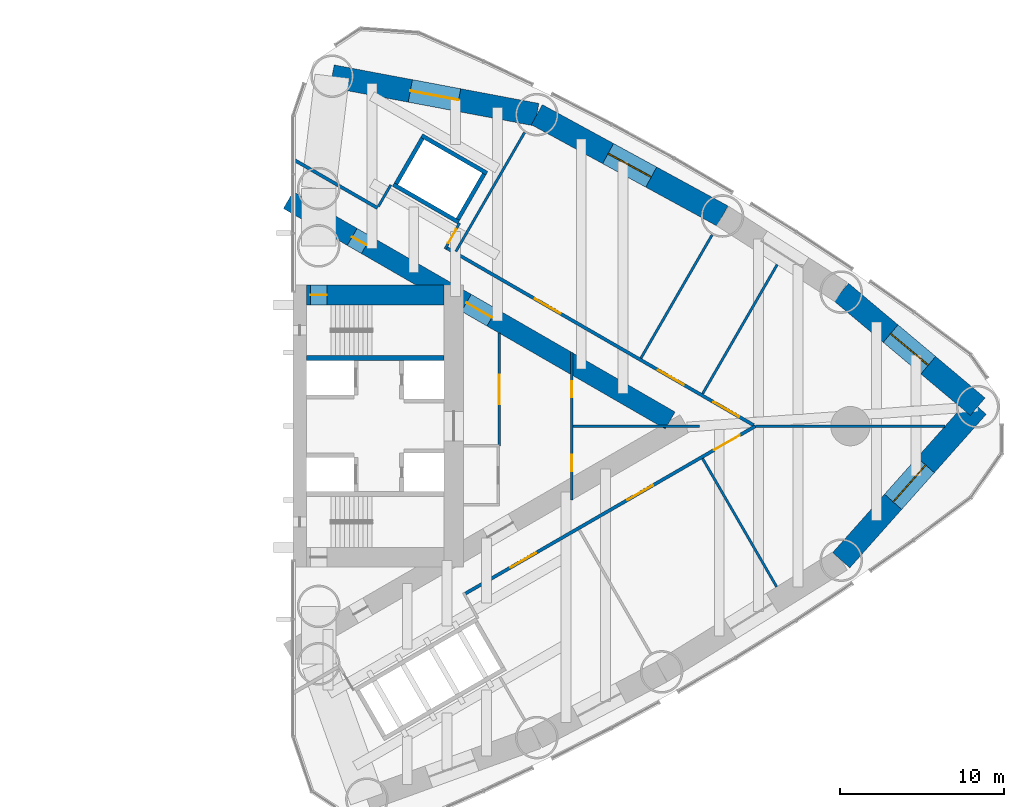
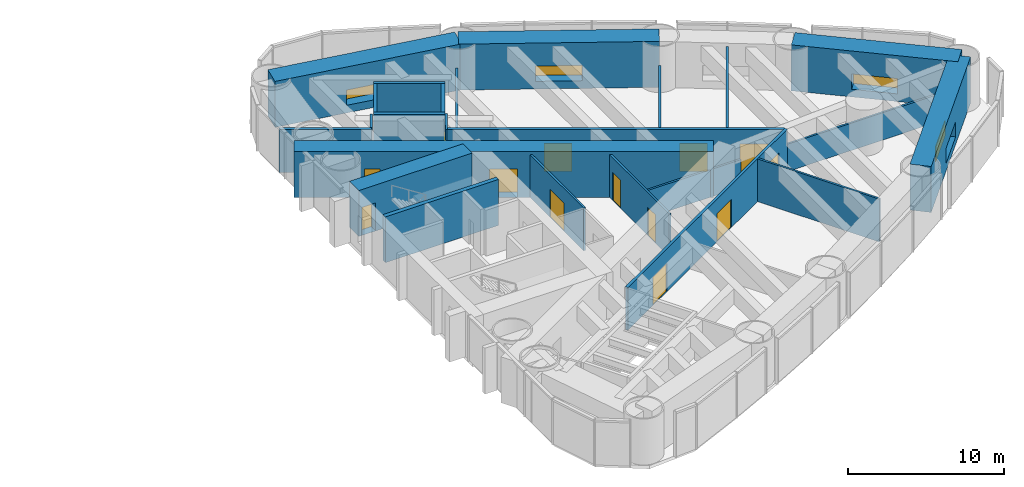
# One storey, part 14 of 16: 24 walls, 13 doors, 4 windows, 17 openings.
"""IFC4 building model written with IfcOpenShell, lengths in metres."""

from ifc_helpers import new_model, si_unit, direction, frame, frame_2d, origin, place, context, subcontext, project, spatial, rectangle, extrude, material, layer, layer_set, type_object, element, fill, save


model = new_model("IFC4")

# Units and contexts
model_context = context("Model", 3, precision=1e-05, world=origin(), true_north=direction((0.0, 1.0)))
body_context = subcontext(model_context, "Body", "Model", "MODEL_VIEW")
ifc_project = project(units=[si_unit("LENGTHUNIT", "METRE"), si_unit("AREAUNIT", "SQUARE_METRE"), si_unit("VOLUMEUNIT", "CUBIC_METRE"), si_unit("PLANEANGLEUNIT", "RADIAN"), si_unit("MASSUNIT", "GRAM", prefix="KILO")], contexts=[model_context])

# Site, building, storey
site_placement = place(None, origin())
site = spatial("IfcSite", under=ifc_project, at=site_placement, CompositionType="ELEMENT")
building_placement = place(site_placement, origin())
building = spatial("IfcBuilding", under=site, at=building_placement, Name="Lancet Gate Hotel", CompositionType="ELEMENT")
storey_placement = place(building_placement, frame((0.0, 0.0, 143.10009765625)))
storey = spatial("IfcBuildingStorey", under=building, at=storey_placement, Name="L38", CompositionType="ELEMENT", Elevation=143.10009765625)

# Wall, opening, window
ifc_material_1 = material(Name="Concrete C80/95", Category="concrete")
ifc_layer_1 = layer(ifc_material_1, 1.39990234375)
ifc_layer_set_1 = layer_set([ifc_layer_1], Name="Belt wall 1400")
wall_type_1 = type_object("IfcWallType", Name="Belt wall 1400", PredefinedType="SHEAR", material=ifc_layer_set_1)
wall_1_placement = place(storey_placement, frame((60.940673828125, -8.18115234375, 0.0), z_axis=(0.0, 0.0, 1.0), x_axis=(0.664421866815, 0.74735773422, 0.0)))
wall_1 = element("IfcWall", 1, at=wall_1_placement, inside=storey, type_object=wall_type_1, Name="T2 belt wall OS3-CA L38", PredefinedType="SHEAR", context=body_context, shape_type="SweptSolid", body=[
    extrude(rectangle(XDim=12.534423828125, YDim=1.39990234375, at=frame_2d((6.26708984375, 0.0))), origin(), (0.0, 0.0, 1.0), 3.599853515625),
])
opening_1_placement = place(wall_1_placement, frame((4.76708984375, 0.0, 0.60009765625)))
opening_1 = element("IfcOpeningElement", 2, at=opening_1_placement, cuts=wall_1, Name="Opening LV1", PredefinedType="OPENING", context=body_context, shape_type="SweptSolid", body=[
    extrude(rectangle(XDim=3.0, YDim=1.199951171875, at=frame_2d((1.5, 0.60009765625))), frame((0.0, 0.7099609375, 0.0), z_axis=(0.0, -1.0, 0.0), x_axis=(1.0, 0.0, 0.0)), (0.0, 0.0, 1.0), 1.419921875),
])
ifc_material_2 = material(Name="Aluminium weather louvre", Category="aluminium")
window_type = type_object("IfcWindowType", Name="Refuge louvre 3000x1200", PartitioningType="SINGLE_PANEL", PredefinedType="WINDOW", material=ifc_material_2)
window_1_placement = place(opening_1_placement, origin())
window_1 = element("IfcWindow", 3, at=window_1_placement, inside=storey, type_object=window_type, Name="T2 belt louvre OS3-CA L38", OverallHeight=1.199951171875, OverallWidth=3.0, PartitioningType="SINGLE_PANEL", PredefinedType="WINDOW", context=body_context, shape_type="SweptSolid", body=[
    extrude(rectangle(XDim=3.0, YDim=1.199951171875, at=frame_2d((1.5, 0.60009765625))), frame((0.0, 0.030029296875, 0.0), z_axis=(0.0, -1.0, 0.0), x_axis=(1.0, 0.0, 0.0)), (0.0, 0.0, 1.0), 0.06005859375),
])
fill(opening_1, window_1)

wall_2_placement = place(storey_placement, frame((69.268798828125, 1.1865234375, 0.0), z_axis=(0.0, 0.0, 1.0), x_axis=(-0.765749969712, 0.643138386264, 0.0)))
wall_2 = element("IfcWall", 4, at=wall_2_placement, inside=storey, type_object=wall_type_1, Name="T2 belt wall CA-ON1 L38", PredefinedType="SHEAR", context=body_context, shape_type="SweptSolid", body=[
    extrude(rectangle(XDim=10.875732421875, YDim=1.39990234375, at=frame_2d((5.43798828125, 0.0))), origin(), (0.0, 0.0, 1.0), 3.599853515625),
])
opening_2_placement = place(wall_2_placement, frame((3.93798828125, 0.0, 0.60009765625)))
opening_2 = element("IfcOpeningElement", 5, at=opening_2_placement, cuts=wall_2, Name="Opening LV1", PredefinedType="OPENING", context=body_context, shape_type="SweptSolid", body=[
    extrude(rectangle(XDim=3.0, YDim=1.199951171875, at=frame_2d((1.5, 0.60009765625))), frame((0.0, 0.7099609375, 0.0), z_axis=(0.0, -1.0, 0.0), x_axis=(1.0, 0.0, 0.0)), (0.0, 0.0, 1.0), 1.419921875),
])
window_2_placement = place(opening_2_placement, origin())
window_2 = element("IfcWindow", 6, at=window_2_placement, inside=storey, type_object=window_type, Name="T2 belt louvre CA-ON1 L38", OverallHeight=1.199951171875, OverallWidth=3.0, PartitioningType="SINGLE_PANEL", PredefinedType="WINDOW", context=body_context, shape_type="SweptSolid", body=[
    extrude(rectangle(XDim=3.0, YDim=1.199951171875, at=frame_2d((1.5, 0.60009765625))), frame((0.0, 0.030029296875, 0.0), z_axis=(0.0, -1.0, 0.0), x_axis=(1.0, 0.0, 0.0)), (0.0, 0.0, 1.0), 0.06005859375),
])
fill(opening_2, window_2)

wall_3_placement = place(storey_placement, frame((53.697021484375, 12.827392578125, 0.0), z_axis=(0.0, 0.0, 1.0), x_axis=(-0.87792015078, 0.478807068509, 0.0)))
wall_3 = element("IfcWall", 7, at=wall_3_placement, inside=storey, type_object=wall_type_1, Name="T2 belt wall ON2-ON3 L38", PredefinedType="SHEAR", context=body_context, shape_type="SweptSolid", body=[
    extrude(rectangle(XDim=12.906494140625, YDim=1.39990234375, at=frame_2d((6.453125, 0.0))), origin(), (0.0, 0.0, 1.0), 3.599853515625),
])
opening_3_placement = place(wall_3_placement, frame((4.953125, 0.0, 0.60009765625)))
opening_3 = element("IfcOpeningElement", 8, at=opening_3_placement, cuts=wall_3, Name="Opening LV1", PredefinedType="OPENING", context=body_context, shape_type="SweptSolid", body=[
    extrude(rectangle(XDim=3.0, YDim=1.199951171875, at=frame_2d((1.5, 0.60009765625))), frame((0.0, 0.7099609375, 0.0), z_axis=(0.0, -1.0, 0.0), x_axis=(1.0, 0.0, 0.0)), (0.0, 0.0, 1.0), 1.419921875),
])
window_3_placement = place(opening_3_placement, origin())
window_3 = element("IfcWindow", 9, at=window_3_placement, inside=storey, type_object=window_type, Name="T2 belt louvre ON2-ON3 L38", OverallHeight=1.199951171875, OverallWidth=3.0, PartitioningType="SINGLE_PANEL", PredefinedType="WINDOW", context=body_context, shape_type="SweptSolid", body=[
    extrude(rectangle(XDim=3.0, YDim=1.199951171875, at=frame_2d((1.5, 0.60009765625))), frame((0.0, 0.030029296875, 0.0), z_axis=(0.0, -1.0, 0.0), x_axis=(1.0, 0.0, 0.0)), (0.0, 0.0, 1.0), 0.06005859375),
])
fill(opening_3, window_3)

wall_4_placement = place(storey_placement, frame((42.3662109375, 19.007080078125, 0.0), z_axis=(0.0, 0.0, 1.0), x_axis=(-0.982797318081, 0.184687388776, 0.0)))
wall_4 = element("IfcWall", 10, at=wall_4_placement, inside=storey, type_object=wall_type_1, Name="T2 belt wall ON3-CN L38", PredefinedType="SHEAR", context=body_context, shape_type="SweptSolid", body=[
    extrude(rectangle(XDim=12.712890625, YDim=1.39990234375, at=frame_2d((6.3564453125, 0.0))), origin(), (0.0, 0.0, 1.0), 3.599853515625),
])
opening_4_placement = place(wall_4_placement, frame((4.8564453125, 0.0, 0.60009765625)))
opening_4 = element("IfcOpeningElement", 11, at=opening_4_placement, cuts=wall_4, Name="Opening LV1", PredefinedType="OPENING", context=body_context, shape_type="SweptSolid", body=[
    extrude(rectangle(XDim=3.0, YDim=1.199951171875, at=frame_2d((1.5, 0.60009765625))), frame((0.0, 0.7099609375, 0.0), z_axis=(0.0, -1.0, 0.0), x_axis=(1.0, 0.0, 0.0)), (0.0, 0.0, 1.0), 1.419921875),
])
window_4_placement = place(opening_4_placement, origin())
window_4 = element("IfcWindow", 12, at=window_4_placement, inside=storey, type_object=window_type, Name="T2 belt louvre ON3-CN L38", OverallHeight=1.199951171875, OverallWidth=3.0, PartitioningType="SINGLE_PANEL", PredefinedType="WINDOW", context=body_context, shape_type="SweptSolid", body=[
    extrude(rectangle(XDim=3.0, YDim=1.199951171875, at=frame_2d((1.5, 0.60009765625))), frame((0.0, 0.030029296875, 0.0), z_axis=(0.0, -1.0, 0.0), x_axis=(1.0, 0.0, 0.0)), (0.0, 0.0, 1.0), 0.06005859375),
])
fill(opening_4, window_4)

# Wall, openings, doors
ifc_material_3 = material(Name="Concrete C70/85", Category="concrete")
ifc_layer_2 = layer(ifc_material_3, 1.199951171875)
ifc_layer_set_2 = layer_set([ifc_layer_2], Name="Buttress wall 1200")
wall_type_2 = type_object("IfcWallType", Name="Buttress wall 1200", PredefinedType="SHEAR", material=ifc_layer_set_2)
wall_5_placement = place(storey_placement, frame((27.199951171875, 13.800048828125, 0.0), z_axis=(0.0, 0.0, 1.0), x_axis=(0.866024515034, -0.500001539357, 0.0)))
wall_5 = element("IfcWall", 13, at=wall_5_placement, inside=storey, type_object=wall_type_2, Name="T2 buttress wall N L38", PredefinedType="SHEAR", context=body_context, shape_type="SweptSolid", body=[
    extrude(rectangle(XDim=26.9072265625, YDim=1.199951171875, at=frame_2d((13.45361328125, 0.0))), origin(), (0.0, 0.0, 1.0), 3.599853515625),
])
opening_5_placement = place(wall_5_placement, frame((4.5, 0.0, 0.0)))
opening_5 = element("IfcOpeningElement", 14, at=opening_5_placement, cuts=wall_5, Name="Opening T2-L38-LN", PredefinedType="OPENING", context=body_context, shape_type="SweptSolid", body=[
    extrude(rectangle(XDim=1.0, YDim=2.199951171875, at=frame_2d((0.5, 1.10009765625))), frame((0.0, 0.60986328125, 0.0), z_axis=(0.0, -1.0, 0.0), x_axis=(1.0, 0.0, 0.0)), (0.0, 0.0, 1.0), 1.219970703125),
])
opening_6_placement = place(wall_5_placement, frame((12.544921875, 0.0, 0.0)))
opening_6 = element("IfcOpeningElement", 15, at=opening_6_placement, cuts=wall_5, Name="Opening T2-L38-LHN", PredefinedType="OPENING", context=body_context, shape_type="SweptSolid", body=[
    extrude(rectangle(XDim=1.800048828125, YDim=2.199951171875, at=frame_2d((0.89990234375, 1.10009765625))), frame((0.0, 0.60986328125, 0.0), z_axis=(0.0, -1.0, 0.0), x_axis=(1.0, 0.0, 0.0)), (0.0, 0.0, 1.0), 1.219970703125),
])
ifc_material_4 = material(Name="Timber door set", Category="wood")
door_type_1 = type_object("IfcDoorType", Name="Lobby double door 1800", OperationType="DOUBLE_DOOR_SINGLE_SWING", PredefinedType="DOOR", material=ifc_material_4)
door_1_placement = place(opening_6_placement, origin())
door_1 = element("IfcDoor", 16, at=door_1_placement, inside=storey, type_object=door_type_1, Name="T2-L38-LHN", OperationType="DOUBLE_DOOR_SINGLE_SWING", OverallHeight=2.199951171875, OverallWidth=1.800048828125, PredefinedType="DOOR", context=body_context, shape_type="SweptSolid", body=[
    extrude(rectangle(XDim=1.800048828125, YDim=2.199951171875, at=frame_2d((0.89990234375, 1.10009765625))), frame((0.0, 0.02490234375, 0.0), z_axis=(0.0, -1.0, 0.0), x_axis=(1.0, 0.0, 0.0)), (0.0, 0.0, 1.0), 0.050048828125),
])
fill(opening_6, door_1)
ifc_material_5 = material(Name="Timber door set", Category="wood")
door_type_2 = type_object("IfcDoorType", Name="Stair lobby door 1000", OperationType="SINGLE_SWING_LEFT", PredefinedType="DOOR", material=ifc_material_5)
door_2_placement = place(opening_5_placement, origin())
door_2 = element("IfcDoor", 17, at=door_2_placement, inside=storey, type_object=door_type_2, Name="T2-L38-LN", OperationType="SINGLE_SWING_LEFT", OverallHeight=2.199951171875, OverallWidth=1.0, PredefinedType="DOOR", context=body_context, shape_type="SweptSolid", body=[
    extrude(rectangle(XDim=1.0, YDim=2.199951171875, at=frame_2d((0.5, 1.10009765625))), frame((0.0, 0.02490234375, 0.0), z_axis=(0.0, -1.0, 0.0), x_axis=(1.0, 0.0, 0.0)), (0.0, 0.0, 1.0), 0.050048828125),
])
fill(opening_5, door_2)

# Wall, opening, door
ifc_material_6 = material(Name="Concrete C70/85", Category="concrete")
ifc_layer_3 = layer(ifc_material_6, 1.199951171875)
ifc_layer_set_3 = layer_set([ifc_layer_3], Name="Core wall 1200")
wall_type_3 = type_object("IfcWallType", Name="Core wall 1200", PredefinedType="SHEAR", material=ifc_layer_set_3)
wall_6_placement = place(storey_placement, frame((28.300048828125, 8.0, 0.0), z_axis=(0.0, 0.0, 1.0), x_axis=(1.0, 0.0, 0.0)))
wall_6 = element("IfcWall", 18, at=wall_6_placement, inside=storey, type_object=wall_type_3, Name="T2 core wall side-N L38", PredefinedType="SHEAR", context=body_context, shape_type="SweptSolid", body=[
    extrude(rectangle(XDim=8.39990234375, YDim=1.199951171875, at=frame_2d((4.199951171875, 0.0))), origin(), (0.0, 0.0, 1.0), 3.599853515625),
])
opening_7_placement = place(wall_6_placement, frame((0.25, 0.0, 0.0)))
opening_7 = element("IfcOpeningElement", 19, at=opening_7_placement, cuts=wall_6, Name="Opening T2-L38-ST2", PredefinedType="OPENING", context=body_context, shape_type="SweptSolid", body=[
    extrude(rectangle(XDim=1.0, YDim=2.199951171875, at=frame_2d((0.5, 1.10009765625))), frame((0.0, 0.60986328125, 0.0), z_axis=(0.0, -1.0, 0.0), x_axis=(1.0, 0.0, 0.0)), (0.0, 0.0, 1.0), 1.219970703125),
])
ifc_material_7 = material(Name="Timber door set", Category="wood")
door_type_3 = type_object("IfcDoorType", Name="Stair door 1000", OperationType="SINGLE_SWING_RIGHT", PredefinedType="DOOR", material=ifc_material_7)
door_3_placement = place(opening_7_placement, origin())
door_3 = element("IfcDoor", 20, at=door_3_placement, inside=storey, type_object=door_type_3, Name="T2-L38-ST2", OperationType="SINGLE_SWING_RIGHT", OverallHeight=2.199951171875, OverallWidth=1.0, PredefinedType="DOOR", context=body_context, shape_type="SweptSolid", body=[
    extrude(rectangle(XDim=1.0, YDim=2.199951171875, at=frame_2d((0.5, 1.10009765625))), frame((0.0, 0.02490234375, 0.0), z_axis=(0.0, -1.0, 0.0), x_axis=(1.0, 0.0, 0.0)), (0.0, 0.0, 1.0), 0.050048828125),
])
fill(opening_7, door_3)

# Wall, openings, doors
ifc_material_8 = material(Name="Gypsum board partition")
ifc_layer_4 = layer(ifc_material_8, 0.199951171875)
ifc_layer_set_4 = layer_set([ifc_layer_4], Name="Corridor wall 200")
wall_type_4 = type_object("IfcWallType", Name="Corridor wall 200", PredefinedType="PARTITIONING", material=ifc_layer_set_4)
wall_7_placement = place(storey_placement, frame((37.9599609375, -10.243408203125, 0.0), z_axis=(0.0, 0.0, 1.0), x_axis=(0.866026429433, 0.499998223521, 0.0)))
wall_7 = element("IfcWall", 21, at=wall_7_placement, inside=storey, type_object=wall_type_4, Name="T2 corridor wall 200 L38", PredefinedType="PARTITIONING", context=body_context, shape_type="SweptSolid", body=[
    extrude(rectangle(XDim=20.48681640625, YDim=0.199951171875, at=frame_2d((10.243408203125, 0.0))), origin(), (0.0, 0.0, 1.0), 3.349853515625),
])
opening_8_placement = place(wall_7_placement, frame((11.4638671875, 0.0, 0.0)))
opening_8 = element("IfcOpeningElement", 22, at=opening_8_placement, cuts=wall_7, Name="Opening T2-L38-B03", PredefinedType="OPENING", context=body_context, shape_type="SweptSolid", body=[
    extrude(rectangle(XDim=1.800048828125, YDim=2.199951171875, at=frame_2d((0.89990234375, 1.10009765625))), frame((0.0, 0.10986328125, 0.0), z_axis=(0.0, -1.0, 0.0), x_axis=(1.0, 0.0, 0.0)), (0.0, 0.0, 1.0), 0.219970703125),
])
opening_9_placement = place(wall_7_placement, frame((17.5859375, 0.0, 0.0)))
opening_9 = element("IfcOpeningElement", 23, at=opening_9_placement, cuts=wall_7, Name="Opening T2-L38-B04", PredefinedType="OPENING", context=body_context, shape_type="SweptSolid", body=[
    extrude(rectangle(XDim=1.800048828125, YDim=2.139892578125, at=frame_2d((0.89990234375, 1.06982421875))), frame((0.0, 0.10986328125, 0.0), z_axis=(0.0, -1.0, 0.0), x_axis=(1.0, 0.0, 0.0)), (0.0, 0.0, 1.0), 0.219970703125),
])
opening_10_placement = place(wall_7_placement, frame((3.221435546875, 0.0, 0.0)))
opening_10 = element("IfcOpeningElement", 24, at=opening_10_placement, cuts=wall_7, Name="Opening T2-L38-B02", PredefinedType="OPENING", context=body_context, shape_type="SweptSolid", body=[
    extrude(rectangle(XDim=1.800048828125, YDim=2.199951171875, at=frame_2d((0.89990234375, 1.10009765625))), frame((0.0, 0.10986328125, 0.0), z_axis=(0.0, -1.0, 0.0), x_axis=(1.0, 0.0, 0.0)), (0.0, 0.0, 1.0), 0.219970703125),
])
ifc_material_9 = material(Name="Timber door set", Category="wood")
door_type_4 = type_object("IfcDoorType", Name="Double door 1800", OperationType="DOUBLE_DOOR_SINGLE_SWING", PredefinedType="DOOR", material=ifc_material_9)
door_4_placement = place(opening_8_placement, origin())
door_4 = element("IfcDoor", 25, at=door_4_placement, inside=storey, type_object=door_type_4, Name="T2-L38-B03", OperationType="DOUBLE_DOOR_SINGLE_SWING", OverallHeight=2.199951171875, OverallWidth=1.800048828125, PredefinedType="DOOR", context=body_context, shape_type="SweptSolid", body=[
    extrude(rectangle(XDim=1.800048828125, YDim=2.199951171875, at=frame_2d((0.89990234375, 1.10009765625))), frame((0.0, 0.02490234375, 0.0), z_axis=(0.0, -1.0, 0.0), x_axis=(1.0, 0.0, 0.0)), (0.0, 0.0, 1.0), 0.050048828125),
])
fill(opening_8, door_4)
door_5_placement = place(opening_10_placement, origin())
door_5 = element("IfcDoor", 26, at=door_5_placement, inside=storey, type_object=door_type_4, Name="T2-L38-B02", OperationType="DOUBLE_DOOR_SINGLE_SWING", OverallHeight=2.199951171875, OverallWidth=1.800048828125, PredefinedType="DOOR", context=body_context, shape_type="SweptSolid", body=[
    extrude(rectangle(XDim=1.800048828125, YDim=2.199951171875, at=frame_2d((0.89990234375, 1.10009765625))), frame((0.0, 0.02490234375, 0.0), z_axis=(0.0, -1.0, 0.0), x_axis=(1.0, 0.0, 0.0)), (0.0, 0.0, 1.0), 0.050048828125),
])
fill(opening_10, door_5)
ifc_material_10 = material(Name="Timber door set", Category="wood")
door_type_5 = type_object("IfcDoorType", Name="Double door 1800, 2140 high", OperationType="DOUBLE_DOOR_SINGLE_SWING", PredefinedType="DOOR", material=ifc_material_10)
door_6_placement = place(opening_9_placement, origin())
door_6 = element("IfcDoor", 27, at=door_6_placement, inside=storey, type_object=door_type_5, Name="T2-L38-B04", OperationType="DOUBLE_DOOR_SINGLE_SWING", OverallHeight=2.139892578125, OverallWidth=1.800048828125, PredefinedType="DOOR", context=body_context, shape_type="SweptSolid", body=[
    extrude(rectangle(XDim=1.800048828125, YDim=2.139892578125, at=frame_2d((0.89990234375, 1.06982421875))), frame((0.0, 0.02490234375, 0.0), z_axis=(0.0, -1.0, 0.0), x_axis=(1.0, 0.0, 0.0)), (0.0, 0.0, 1.0), 0.050048828125),
])
fill(opening_9, door_6)

# Wall
wall_8_placement = place(storey_placement, frame((27.5, 16.282470703125, 0.0), z_axis=(0.0, 0.0, 1.0), x_axis=(0.866038377622, -0.499977527982, 0.0)))
element("IfcWall", 28, at=wall_8_placement, inside=storey, type_object=wall_type_4, Name="T2 corridor wall 200 L38", PredefinedType="PARTITIONING", context=body_context, shape_type="SweptSolid", body=[
    extrude(rectangle(XDim=5.937744140625, YDim=0.199951171875, at=frame_2d((2.96875, 0.0))), origin(), (0.0, 0.0, 1.0), 3.349853515625),
])

# Wall, openings, doors
wall_9_placement = place(storey_placement, frame((36.833984375, 10.8935546875, 0.0), z_axis=(0.0, 0.0, 1.0), x_axis=(0.866028157229, -0.499995230863, 0.0)))
wall_9 = element("IfcWall", 29, at=wall_9_placement, inside=storey, type_object=wall_type_4, Name="T2 corridor wall 200 L38", PredefinedType="PARTITIONING", context=body_context, shape_type="SweptSolid", body=[
    extrude(rectangle(XDim=21.667236328125, YDim=0.199951171875, at=frame_2d((10.83349609375, 0.0))), origin(), (0.0, 0.0, 1.0), 3.349853515625),
])
opening_11_placement = place(wall_9_placement, frame((18.826171875, 0.0, 0.0)))
opening_11 = element("IfcOpeningElement", 30, at=opening_11_placement, cuts=wall_9, Name="Opening T2-L38-B05", PredefinedType="OPENING", context=body_context, shape_type="SweptSolid", body=[
    extrude(rectangle(XDim=1.800048828125, YDim=2.199951171875, at=frame_2d((0.89990234375, 1.10009765625))), frame((0.0, 0.10986328125, 0.0), z_axis=(0.0, -1.0, 0.0), x_axis=(1.0, 0.0, 0.0)), (0.0, 0.0, 1.0), 0.219970703125),
])
opening_12_placement = place(wall_9_placement, frame((14.937744140625, 0.0, 0.0)))
opening_12 = element("IfcOpeningElement", 31, at=opening_12_placement, cuts=wall_9, Name="Opening T2-L38-B06", PredefinedType="OPENING", context=body_context, shape_type="SweptSolid", body=[
    extrude(rectangle(XDim=1.800048828125, YDim=2.199951171875, at=frame_2d((0.89990234375, 1.10009765625))), frame((0.0, 0.10986328125, 0.0), z_axis=(0.0, -1.0, 0.0), x_axis=(1.0, 0.0, 0.0)), (0.0, 0.0, 1.0), 0.219970703125),
])
opening_13_placement = place(wall_9_placement, frame((6.247802734375, 0.0, 0.0)))
opening_13 = element("IfcOpeningElement", 32, at=opening_13_placement, cuts=wall_9, Name="Opening T2-L38-B07", PredefinedType="OPENING", context=body_context, shape_type="SweptSolid", body=[
    extrude(rectangle(XDim=1.800048828125, YDim=2.199951171875, at=frame_2d((0.89990234375, 1.10009765625))), frame((0.0, 0.10986328125, 0.0), z_axis=(0.0, -1.0, 0.0), x_axis=(1.0, 0.0, 0.0)), (0.0, 0.0, 1.0), 0.219970703125),
])
door_7_placement = place(opening_11_placement, origin())
door_7 = element("IfcDoor", 33, at=door_7_placement, inside=storey, type_object=door_type_4, Name="T2-L38-B05", OperationType="DOUBLE_DOOR_SINGLE_SWING", OverallHeight=2.199951171875, OverallWidth=1.800048828125, PredefinedType="DOOR", context=body_context, shape_type="SweptSolid", body=[
    extrude(rectangle(XDim=1.800048828125, YDim=2.199951171875, at=frame_2d((0.89990234375, 1.10009765625))), frame((0.0, 0.02490234375, 0.0), z_axis=(0.0, -1.0, 0.0), x_axis=(1.0, 0.0, 0.0)), (0.0, 0.0, 1.0), 0.050048828125),
])
fill(opening_11, door_7)
door_8_placement = place(opening_12_placement, origin())
door_8 = element("IfcDoor", 34, at=door_8_placement, inside=storey, type_object=door_type_4, Name="T2-L38-B06", OperationType="DOUBLE_DOOR_SINGLE_SWING", OverallHeight=2.199951171875, OverallWidth=1.800048828125, PredefinedType="DOOR", context=body_context, shape_type="SweptSolid", body=[
    extrude(rectangle(XDim=1.800048828125, YDim=2.199951171875, at=frame_2d((0.89990234375, 1.10009765625))), frame((0.0, 0.02490234375, 0.0), z_axis=(0.0, -1.0, 0.0), x_axis=(1.0, 0.0, 0.0)), (0.0, 0.0, 1.0), 0.050048828125),
])
fill(opening_12, door_8)
door_9_placement = place(opening_13_placement, origin())
door_9 = element("IfcDoor", 35, at=door_9_placement, inside=storey, type_object=door_type_4, Name="T2-L38-B07", OperationType="DOUBLE_DOOR_SINGLE_SWING", OverallHeight=2.199951171875, OverallWidth=1.800048828125, PredefinedType="DOOR", context=body_context, shape_type="SweptSolid", body=[
    extrude(rectangle(XDim=1.800048828125, YDim=2.199951171875, at=frame_2d((0.89990234375, 1.10009765625))), frame((0.0, 0.02490234375, 0.0), z_axis=(0.0, -1.0, 0.0), x_axis=(1.0, 0.0, 0.0)), (0.0, 0.0, 1.0), 0.050048828125),
])
fill(opening_13, door_9)

# Walls
ifc_material_11 = material(Name="Gypsum board partition")
ifc_layer_5 = layer(ifc_material_11, 0.25)
ifc_layer_set_5 = layer_set([ifc_layer_5], Name="Lift shaft partition 250")
wall_type_5 = type_object("IfcWallType", Name="Lift shaft partition 250", PredefinedType="PARTITIONING", material=ifc_layer_set_5)
for number, where, z_axis, x_axis, name in (
    (36, (33.6083984375, 14.747314453125, 0.0), (0.0, 0.0, 1.0), (0.866043305498, -0.49996899204, 0.0), "T2 lift shaft wall EX L38"),
    (37, (35.33349609375, 17.73583984375, 0.0), (0.0, 0.0, 1.0), (0.866043305498, -0.49996899204, 0.0), "T2 lift shaft wall EX L38"),
):
    element("IfcWall", number, at=place(storey_placement, frame(where, z_axis=z_axis, x_axis=x_axis)), inside=storey, type_object=wall_type_5, Name=name, PredefinedType="PARTITIONING", context=body_context, shape_type="SweptSolid", body=[
        extrude(rectangle(XDim=4.600341796875, YDim=0.25, at=frame_2d((2.30029296875, 0.0))), origin(), (0.0, 0.0, 1.0), 3.349853515625),
    ])
for number, where, z_axis, x_axis, name in (
    (38, (33.779296875, 14.79296875, 0.0), (0.0, 0.0, 1.0), (0.499929347863, 0.866066190972, 0.0), "T2 lift shaft wall EX L38"),
    (39, (37.546630859375, 12.617919921875, 0.0), (0.0, 0.0, 1.0), (0.499929347863, 0.866066190972, 0.0), "T2 lift shaft wall EX L38"),
):
    element("IfcWall", number, at=place(storey_placement, frame(where, z_axis=z_axis, x_axis=x_axis)), inside=storey, type_object=wall_type_5, Name=name, PredefinedType="PARTITIONING", context=body_context, shape_type="SweptSolid", body=[
        extrude(rectangle(XDim=3.20068359375, YDim=0.25, at=frame_2d((1.600341796875, 0.0))), origin(), (0.0, 0.0, 1.0), 3.349853515625),
    ])
ifc_material_12 = material(Name="Gypsum board partition")
ifc_layer_6 = layer(ifc_material_12, 0.14990234375)
ifc_layer_set_6 = layer_set([ifc_layer_6], Name="Party wall 150")
wall_type_6 = type_object("IfcWallType", Name="Party wall 150", PredefinedType="PARTITIONING", material=ifc_layer_set_6)
wall_10_placement = place(storey_placement, frame((52.4814453125, -1.97509765625, 0.0), z_axis=(0.0, 0.0, 1.0), x_axis=(0.499984247144, -0.866034498509, 0.0)))
element("IfcWall", 40, at=wall_10_placement, inside=storey, type_object=wall_type_6, Name="T2 party wall 150 L38", PredefinedType="PARTITIONING", context=body_context, shape_type="SweptSolid", body=[
    extrude(rectangle(XDim=9.041259765625, YDim=0.14990234375, at=frame_2d((4.5205078125, 0.0))), origin(), (0.0, 0.0, 1.0), 3.349853515625),
])
wall_11_placement = place(storey_placement, frame((37.43017578125, 10.664794921875, 0.0), z_axis=(0.0, 0.0, 1.0), x_axis=(0.499989991081, 0.866031182359, 0.0)))
element("IfcWall", 41, at=wall_11_placement, inside=storey, type_object=wall_type_6, Name="T2 party wall 150 L38", PredefinedType="PARTITIONING", context=body_context, shape_type="SweptSolid", body=[
    extrude(rectangle(XDim=8.373291015625, YDim=0.14990234375, at=frame_2d((4.1865234375, 0.0))), origin(), (0.0, 0.0, 1.0), 2.14990234375),
])
wall_12_placement = place(storey_placement, frame((48.718505859375, 4.1474609375, 0.0), z_axis=(0.0, 0.0, 1.0), x_axis=(0.499993328235, 0.866029255696, 0.0)))
element("IfcWall", 42, at=wall_12_placement, inside=storey, type_object=wall_type_6, Name="T2 party wall 150 L38", PredefinedType="PARTITIONING", context=body_context, shape_type="SweptSolid", body=[
    extrude(rectangle(XDim=8.68603515625, YDim=0.14990234375, at=frame_2d((4.343017578125, 0.0))), origin(), (0.0, 0.0, 1.0), 2.14990234375),
])
wall_13_placement = place(storey_placement, frame((52.4814453125, 1.97509765625, 0.0), z_axis=(0.0, 0.0, 1.0), x_axis=(0.500008073096, 0.86602074273, 0.0)))
element("IfcWall", 43, at=wall_13_placement, inside=storey, type_object=wall_type_6, Name="T2 party wall 150 L38", PredefinedType="PARTITIONING", context=body_context, shape_type="SweptSolid", body=[
    extrude(rectangle(XDim=9.100830078125, YDim=0.14990234375, at=frame_2d((4.55029296875, 0.0))), origin(), (0.0, 0.0, 1.0), 3.349853515625),
])
wall_14_placement = place(storey_placement, frame((55.7021484375, 0.0, 0.0), z_axis=(0.0, 0.0, 1.0), x_axis=(1.0, 0.0, 0.0)))
element("IfcWall", 44, at=wall_14_placement, inside=storey, type_object=wall_type_6, Name="T2 party wall 150 L38", PredefinedType="PARTITIONING", context=body_context, shape_type="SweptSolid", body=[
    extrude(rectangle(XDim=11.5751953125, YDim=0.14990234375, at=frame_2d((5.78759765625, 0.0))), origin(), (0.0, 0.0, 1.0), 2.14990234375),
])

# Wall, opening, door
ifc_material_13 = material(Name="Gypsum board partition")
ifc_layer_7 = layer(ifc_material_13, 0.14990234375)
ifc_layer_set_7 = layer_set([ifc_layer_7], Name="Service room wall 150")
wall_type_7 = type_object("IfcWallType", Name="Service room wall 150", PredefinedType="PARTITIONING", material=ifc_layer_set_7)
wall_15_placement = place(storey_placement, frame((36.77099609375, 10.814453125, 0.0), z_axis=(0.0, 0.0, 1.0), x_axis=(0.485585508183, 0.874189175317, 0.0)))
wall_15 = element("IfcWall", 45, at=wall_15_placement, inside=storey, type_object=wall_type_7, Name="T2 service room wall 150 L38", PredefinedType="PARTITIONING", context=body_context, shape_type="SweptSolid", body=[
    extrude(rectangle(XDim=1.804931640625, YDim=0.14990234375, at=frame_2d((0.90234375, 0.0))), origin(), (0.0, 0.0, 1.0), 3.349853515625),
])
opening_14_placement = place(wall_15_placement, frame((0.402587890625, 0.0, 0.0)))
opening_14 = element("IfcOpeningElement", 46, at=opening_14_placement, cuts=wall_15, Name="Opening T2-L38-B08", PredefinedType="OPENING", context=body_context, shape_type="SweptSolid", body=[
    extrude(rectangle(XDim=1.0, YDim=2.139892578125, at=frame_2d((0.5, 1.06982421875))), frame((0.0, 0.0849609375, 0.0), z_axis=(0.0, -1.0, 0.0), x_axis=(1.0, 0.0, 0.0)), (0.0, 0.0, 1.0), 0.169921875),
])
ifc_material_14 = material(Name="Timber door set", Category="wood")
door_type_6 = type_object("IfcDoorType", Name="Service door 1000, 2140 high", OperationType="SINGLE_SWING_LEFT", PredefinedType="DOOR", material=ifc_material_14)
door_10_placement = place(opening_14_placement, origin())
door_10 = element("IfcDoor", 47, at=door_10_placement, inside=storey, type_object=door_type_6, Name="T2-L38-B08", OperationType="SINGLE_SWING_LEFT", OverallHeight=2.139892578125, OverallWidth=1.0, PredefinedType="DOOR", context=body_context, shape_type="SweptSolid", body=[
    extrude(rectangle(XDim=1.0, YDim=2.139892578125, at=frame_2d((0.5, 1.06982421875))), frame((0.0, 0.02490234375, 0.0), z_axis=(0.0, -1.0, 0.0), x_axis=(1.0, 0.0, 0.0)), (0.0, 0.0, 1.0), 0.050048828125),
])
fill(opening_14, door_10)

# Wall
wall_16_placement = place(storey_placement, frame((32.6923828125, 13.400390625, 0.0), z_axis=(0.0, 0.0, 1.0), x_axis=(0.499985008713, 0.866034058835, 0.0)))
element("IfcWall", 48, at=wall_16_placement, inside=storey, type_object=wall_type_7, Name="T2 service room wall 150 L38", PredefinedType="PARTITIONING", context=body_context, shape_type="SweptSolid", body=[
    extrude(rectangle(XDim=1.529296875, YDim=0.14990234375, at=frame_2d((0.7646484375, 0.0))), origin(), (0.0, 0.0, 1.0), 3.349853515625),
])

# Wall, opening, door
wall_17_placement = place(storey_placement, frame((40.074951171875, -1.199951171875, 0.0), z_axis=(0.0, 0.0, 1.0), x_axis=(0.0, 1.0, 0.0)))
wall_17 = element("IfcWall", 49, at=wall_17_placement, inside=storey, type_object=wall_type_7, Name="T2 service room wall 150 L38", PredefinedType="PARTITIONING", context=body_context, shape_type="SweptSolid", body=[
    extrude(rectangle(XDim=6.873779296875, YDim=0.14990234375, at=frame_2d((3.43701171875, 0.0))), origin(), (0.0, 0.0, 1.0), 3.349853515625),
])
opening_15_placement = place(wall_17_placement, frame((2.536865234375, 0.0, 0.0)))
opening_15 = element("IfcOpeningElement", 50, at=opening_15_placement, cuts=wall_17, Name="Opening T2-L38-LH", PredefinedType="OPENING", context=body_context, shape_type="SweptSolid", body=[
    extrude(rectangle(XDim=1.800048828125, YDim=2.199951171875, at=frame_2d((0.89990234375, 1.10009765625))), frame((0.0, 0.0849609375, 0.0), z_axis=(0.0, -1.0, 0.0), x_axis=(1.0, 0.0, 0.0)), (0.0, 0.0, 1.0), 0.169921875),
])
door_11_placement = place(opening_15_placement, origin())
door_11 = element("IfcDoor", 51, at=door_11_placement, inside=storey, type_object=door_type_1, Name="T2-L38-LH", OperationType="DOUBLE_DOOR_SINGLE_SWING", OverallHeight=2.199951171875, OverallWidth=1.800048828125, PredefinedType="DOOR", context=body_context, shape_type="SweptSolid", body=[
    extrude(rectangle(XDim=1.800048828125, YDim=2.199951171875, at=frame_2d((0.89990234375, 1.10009765625))), frame((0.0, 0.02490234375, 0.0), z_axis=(0.0, -1.0, 0.0), x_axis=(1.0, 0.0, 0.0)), (0.0, 0.0, 1.0), 0.050048828125),
])
fill(opening_15, door_11)

# Wall, openings, doors
wall_18_placement = place(storey_placement, frame((44.5, -4.504638671875, 0.0), z_axis=(0.0, 0.0, 1.0), x_axis=(0.0, 1.0, 0.0)))
wall_18 = element("IfcWall", 52, at=wall_18_placement, inside=storey, type_object=wall_type_7, Name="T2 service room wall 150 L38", PredefinedType="PARTITIONING", context=body_context, shape_type="SweptSolid", body=[
    extrude(rectangle(XDim=9.00927734375, YDim=0.14990234375, at=frame_2d((4.504638671875, 0.0))), origin(), (0.0, 0.0, 1.0), 3.349853515625),
])
opening_16_placement = place(wall_18_placement, frame((1.752197265625, 0.0, 0.0)))
opening_16 = element("IfcOpeningElement", 53, at=opening_16_placement, cuts=wall_18, Name="Opening T2-L38-SV", PredefinedType="OPENING", context=body_context, shape_type="SweptSolid", body=[
    extrude(rectangle(XDim=1.0, YDim=2.199951171875, at=frame_2d((0.5, 1.10009765625))), frame((0.0, 0.0849609375, 0.0), z_axis=(0.0, -1.0, 0.0), x_axis=(1.0, 0.0, 0.0)), (0.0, 0.0, 1.0), 0.169921875),
])
opening_17_placement = place(wall_18_placement, frame((6.2568359375, 0.0, 0.0)))
opening_17 = element("IfcOpeningElement", 54, at=opening_17_placement, cuts=wall_18, Name="Opening T2-L38-SV2", PredefinedType="OPENING", context=body_context, shape_type="SweptSolid", body=[
    extrude(rectangle(XDim=1.0, YDim=2.199951171875, at=frame_2d((0.5, 1.10009765625))), frame((0.0, 0.0849609375, 0.0), z_axis=(0.0, -1.0, 0.0), x_axis=(1.0, 0.0, 0.0)), (0.0, 0.0, 1.0), 0.169921875),
])
ifc_material_15 = material(Name="Timber door set", Category="wood")
door_type_7 = type_object("IfcDoorType", Name="Service door 1000", OperationType="SINGLE_SWING_LEFT", PredefinedType="DOOR", material=ifc_material_15)
door_12_placement = place(opening_16_placement, origin())
door_12 = element("IfcDoor", 55, at=door_12_placement, inside=storey, type_object=door_type_7, Name="T2-L38-SV", OperationType="SINGLE_SWING_LEFT", OverallHeight=2.199951171875, OverallWidth=1.0, PredefinedType="DOOR", context=body_context, shape_type="SweptSolid", body=[
    extrude(rectangle(XDim=1.0, YDim=2.199951171875, at=frame_2d((0.5, 1.10009765625))), frame((0.0, 0.02490234375, 0.0), z_axis=(0.0, -1.0, 0.0), x_axis=(1.0, 0.0, 0.0)), (0.0, 0.0, 1.0), 0.050048828125),
])
fill(opening_16, door_12)
door_13_placement = place(opening_17_placement, origin())
door_13 = element("IfcDoor", 56, at=door_13_placement, inside=storey, type_object=door_type_7, Name="T2-L38-SV2", OperationType="SINGLE_SWING_LEFT", OverallHeight=2.199951171875, OverallWidth=1.0, PredefinedType="DOOR", context=body_context, shape_type="SweptSolid", body=[
    extrude(rectangle(XDim=1.0, YDim=2.199951171875, at=frame_2d((0.5, 1.10009765625))), frame((0.0, 0.02490234375, 0.0), z_axis=(0.0, -1.0, 0.0), x_axis=(1.0, 0.0, 0.0)), (0.0, 0.0, 1.0), 0.050048828125),
])
fill(opening_17, door_13)

# Walls
wall_19_placement = place(storey_placement, frame((44.574951171875, 0.0, 0.0), z_axis=(0.0, 0.0, 1.0), x_axis=(1.0, 0.0, 0.0)))
element("IfcWall", 57, at=wall_19_placement, inside=storey, type_object=wall_type_7, Name="T2 service room wall 150 L38", PredefinedType="PARTITIONING", context=body_context, shape_type="SweptSolid", body=[
    extrude(rectangle(XDim=7.727294921875, YDim=0.14990234375, at=frame_2d((3.86376953125, 0.0))), origin(), (0.0, 0.0, 1.0), 2.14990234375),
])
ifc_material_16 = material(Name="Concrete C50/60", Category="concrete")
ifc_layer_8 = layer(ifc_material_16, 0.300048828125)
ifc_layer_set_8 = layer_set([ifc_layer_8], Name="Stair enclosure wall 300")
wall_type_8 = type_object("IfcWallType", Name="Stair enclosure wall 300", PredefinedType="SHEAR", material=ifc_layer_set_8)
wall_20_placement = place(storey_placement, frame((28.300048828125, 4.14990234375, 0.0), z_axis=(0.0, 0.0, 1.0), x_axis=(1.0, 0.0, 0.0)))
element("IfcWall", 58, at=wall_20_placement, inside=storey, type_object=wall_type_8, Name="T2 core wall stair-N L38", PredefinedType="SHEAR", context=body_context, shape_type="SweptSolid", body=[
    extrude(rectangle(XDim=8.39990234375, YDim=0.300048828125, at=frame_2d((4.199951171875, 0.0))), origin(), (0.0, 0.0, 1.0), 3.599853515625),
])

save(model, "model.ifc")
